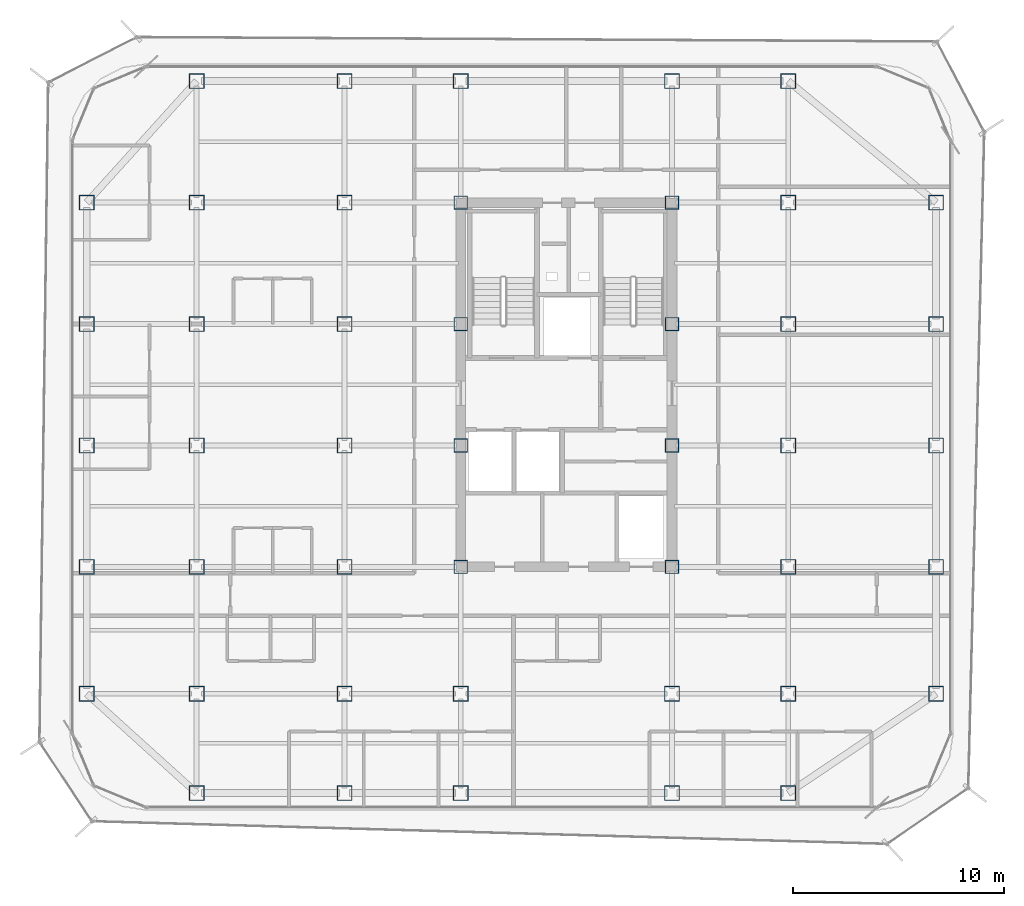
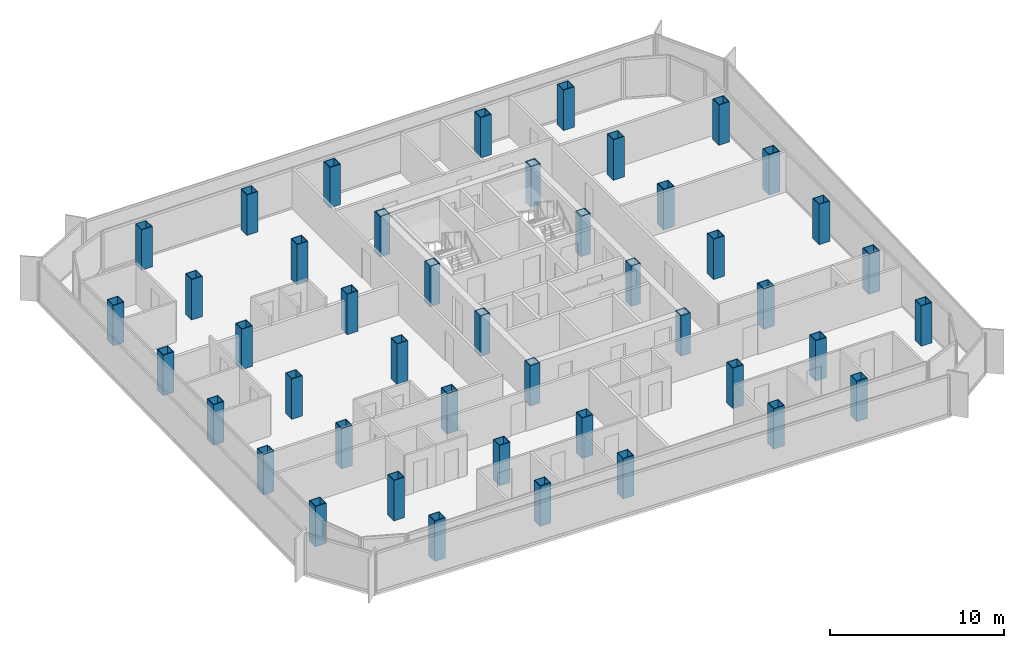
# One storey, part 1 of 15: 45 columns.
"""IFC4 building model written with IfcOpenShell, lengths in metres."""

import ifcopenshell
import ifcopenshell.guid

model = None  # the IFC model being written
_history = None  # IfcOwnerHistory: only IFC2X3 demands one
_inside = {}  # id of a spatial element -> (the spatial element, [elements in it])
_under = {}  # id of a project, library or spatial element -> (it, [spatial elements below it])
_declared = {}  # id of a project -> (the project, [libraries it declares])
_typed = {}  # id of a type object -> (the type object, [elements of that type])
_made_of = {}  # id of a material, layer set ... -> (it, [elements and type objects made of it])


def new_model(schema):
    """Start an empty IFC model of exactly this schema.

    Asked for "IFC4X3", IfcOpenShell would pick the latest addendum, in which some entities
    have other attributes; the version numbers below select the first issue.
    IFC2X3 requires an IfcOwnerHistory on every rooted entity: one is made here for all.
    """
    global model, _history
    if schema == "IFC4X3":
        model = ifcopenshell.file(schema_version=(4, 3, 0, 0))
    else:
        model = ifcopenshell.file(schema=schema)
    _inside.clear()
    _under.clear()
    _declared.clear()
    _typed.clear()
    _made_of.clear()
    _history = None
    if model.schema == "IFC2X3":
        org = make("IfcOrganization", Name="unknown")
        user = make(
            "IfcPersonAndOrganization",
            ThePerson=make("IfcPerson", FamilyName="unknown"),
            TheOrganization=org,
        )
        app = make(
            "IfcApplication",
            ApplicationDeveloper=org,
            Version="unknown",
            ApplicationFullName="unknown",
            ApplicationIdentifier="unknown",
        )
        _history = make(
            "IfcOwnerHistory",
            OwningUser=user,
            OwningApplication=app,
            ChangeAction="ADDED",
            CreationDate=0,
        )
    return model


def make(cls, **values):
    """One entity of the class cls with the attributes given. An attribute that is None is left unset."""
    return model.create_entity(
        cls, **{name: value for name, value in values.items() if value is not None}
    )


def rooted(cls, **values):
    """An entity with a GlobalId (a new one), such as an element, a storey or a relation."""
    return make(cls, GlobalId=ifcopenshell.guid.new(), OwnerHistory=_history, **values)


def si_unit(unit_type, name, prefix=None):
    """IfcSIUnit, for example si_unit("LENGTHUNIT", "METRE", prefix="MILLI")."""
    return make("IfcSIUnit", UnitType=unit_type, Prefix=prefix, Name=name)


def assignment(units):
    """IfcUnitAssignment: the units of a project."""
    return None if units is None else make("IfcUnitAssignment", Units=units)


def point(xyz):
    """IfcCartesianPoint."""
    return None if xyz is None else make("IfcCartesianPoint", Coordinates=xyz)


def direction(xyz):
    """IfcDirection."""
    return None if xyz is None else make("IfcDirection", DirectionRatios=xyz)


def frame(location, z_axis=None, x_axis=None):
    """IfcAxis2Placement3D, a coordinate frame: its origin and axes. An axis left out is left unset."""
    return make(
        "IfcAxis2Placement3D",
        Location=point(location),
        Axis=direction(z_axis),
        RefDirection=direction(x_axis),
    )


def frame_2d(location, x_axis=None):
    """IfcAxis2Placement2D, a coordinate frame in the plane: its origin and x axis."""
    return make(
        "IfcAxis2Placement2D", Location=point(location), RefDirection=direction(x_axis)
    )


def origin():
    """The frame at (0, 0, 0) with its axes left unset."""
    return frame((0.0, 0.0, 0.0))


def origin_2d():
    """The frame at (0, 0) in the plane with its x axis left unset."""
    return frame_2d((0.0, 0.0))


def place(relative_to, where):
    """IfcLocalPlacement: puts the frame where relative to a parent placement (None: the world)."""
    return make(
        "IfcLocalPlacement", PlacementRelTo=relative_to, RelativePlacement=where
    )


def context(
    kind, dimensions, precision=None, world=None, true_north=None, identifier=None
):
    """IfcGeometricRepresentationContext, for example the 3D "Model" context."""
    return make(
        "IfcGeometricRepresentationContext",
        ContextIdentifier=identifier,
        ContextType=kind,
        CoordinateSpaceDimension=dimensions,
        Precision=precision,
        WorldCoordinateSystem=world,
        TrueNorth=true_north,
    )


def subcontext(parent, identifier, kind, view, scale=None):
    """IfcGeometricRepresentationSubContext, for example "Body" below "Model"."""
    return make(
        "IfcGeometricRepresentationSubContext",
        ContextIdentifier=identifier,
        ContextType=kind,
        ParentContext=parent,
        TargetScale=scale,
        TargetView=view,
    )


def project(units=None, contexts=None):
    """IfcProject with its units and contexts."""
    return rooted(
        "IfcProject",
        Name="project",
        RepresentationContexts=contexts,
        UnitsInContext=assignment(units),
    )


def spatial(cls, under=None, at=None, **own):
    """A site, building, storey or space (cls), placed at a placement, below another one or the project."""
    s = rooted(cls, ObjectPlacement=at, **own)
    if under is not None:
        _under.setdefault(under.id(), (under, []))[1].append(s)
    return s


def profile(cls, at=None, kind="AREA", **sizes):
    """A parametric profile (cls). Its sizes go by their IFC names, for example OverallWidth=200.0."""
    return make(cls, ProfileType=kind, Position=at, **sizes)


def hollow_rectangle(**sizes):
    """IfcRectangleHollowProfileDef."""
    return profile("IfcRectangleHollowProfileDef", **sizes)


def extrude(swept, where, along, depth):
    """IfcExtrudedAreaSolid: the profile swept, set in the frame where, extruded along a direction by depth."""
    return make(
        "IfcExtrudedAreaSolid",
        SweptArea=swept,
        Position=where,
        ExtrudedDirection=direction(along),
        Depth=depth,
    )


def shape(context_of_items, identifier, shape_type, items):
    """IfcShapeRepresentation: the items that make up one representation, for example the "Body"."""
    return make(
        "IfcShapeRepresentation",
        ContextOfItems=context_of_items,
        RepresentationIdentifier=identifier,
        RepresentationType=shape_type,
        Items=items,
    )


def source(mapping_origin, context_of_items, identifier, shape_type, items):
    """IfcRepresentationMap: a shape defined once, which mapped items show again and again."""
    return make(
        "IfcRepresentationMap",
        MappingOrigin=mapping_origin,
        MappedRepresentation=shape(context_of_items, identifier, shape_type, items),
    )


def transform(
    local_origin,
    x_axis=None,
    y_axis=None,
    z_axis=None,
    scale=None,
    scale2=None,
    scale3=None,
    uniform=True,
):
    """IfcCartesianTransformationOperator3D, or its non-uniform kind. x_axis, y_axis, z_axis: its Axis1, 2, 3."""
    if uniform:
        return make(
            "IfcCartesianTransformationOperator3D",
            Axis1=direction(x_axis),
            Axis2=direction(y_axis),
            LocalOrigin=point(local_origin),
            Scale=scale,
            Axis3=direction(z_axis),
        )
    return make(
        "IfcCartesianTransformationOperator3DnonUniform",
        Axis1=direction(x_axis),
        Axis2=direction(y_axis),
        LocalOrigin=point(local_origin),
        Scale=scale,
        Axis3=direction(z_axis),
        Scale2=scale2,
        Scale3=scale3,
    )


def mapped(mapping_source, mapping_target):
    """IfcMappedItem: shows the shape of a source again, moved by a transform."""
    return make(
        "IfcMappedItem", MappingSource=mapping_source, MappingTarget=mapping_target
    )


def material(Name=None, Category=None):
    """IfcMaterial."""
    return make("IfcMaterial", Name=Name, Category=Category)


def material_profile(
    of_material, cross_section, Name=None, Category=None, Priority=None
):
    """IfcMaterialProfile: a cross section and its material."""
    return make(
        "IfcMaterialProfile",
        Name=Name,
        Material=of_material,
        Profile=cross_section,
        Priority=Priority,
        Category=Category,
    )


def profile_set(profiles, Name=None, composite=None):
    """IfcMaterialProfileSet."""
    return make(
        "IfcMaterialProfileSet",
        Name=Name,
        MaterialProfiles=profiles,
        CompositeProfile=composite,
    )


def made_of(thing, what):
    """Note that an element or type object is made of a material, layer set ...; save() writes the relation."""
    if what is not None:
        _made_of.setdefault(what.id(), (what, []))[1].append(thing)
    return thing


def type_object(cls, material=None, **own):
    """A type object (cls), such as IfcWallType, which elements share."""
    return made_of(rooted(cls, **own), material)


def element(
    cls,
    number,
    at=None,
    inside=None,
    cuts=None,
    type_object=None,
    material=None,
    context=None,
    identifier="Body",
    shape_type=None,
    held_by="IfcProductDefinitionShape",
    body=None,
    shapes=None,
    **own,
):
    """One element of the class cls, such as IfcWall. Its Tag is "e" and its number.

    at: its placement. inside: the storey or other place that contains it. cuts: it is an
    opening in that element (IfcRelVoidsElement). A single representation is given by context,
    identifier, shape_type and body (its items); several are given by shapes. held_by: the class
    of the entity that holds the representations. save() writes the other relations.
    """
    e = rooted(cls, Tag="e%d" % number, ObjectPlacement=at, **own)
    if body is not None:
        shapes = [shape(context, identifier, shape_type, body)]
    if shapes is not None:
        e.Representation = make(held_by, Representations=shapes)
    if inside is not None:
        _inside.setdefault(inside.id(), (inside, []))[1].append(e)
    if cuts is not None:
        rooted(
            "IfcRelVoidsElement", RelatingBuildingElement=cuts, RelatedOpeningElement=e
        )
    if type_object is not None:
        _typed.setdefault(type_object.id(), (type_object, []))[1].append(e)
    return made_of(e, material)


def aggregate(whole, parts):
    """IfcRelAggregates: a whole, such as a stair, and the parts it consists of."""
    return rooted("IfcRelAggregates", RelatingObject=whole, RelatedObjects=parts)


def save(model, path):
    """Write the relations noted so far, then the file.

    IfcRelAggregates (storeys below a building ...), IfcRelContainedInSpatialStructure (elements
    in a storey), IfcRelDefinesByType, IfcRelAssociatesMaterial and IfcRelDeclares: one each for
    every whole, place, type object, material and project.
    """
    for whole, parts in _under.values():
        aggregate(whole, parts)
    for where, things in _inside.values():
        rooted(
            "IfcRelContainedInSpatialStructure",
            RelatedElements=things,
            RelatingStructure=where,
        )
    for kind, things in _typed.values():
        rooted("IfcRelDefinesByType", RelatedObjects=things, RelatingType=kind)
    for what, things in _made_of.values():
        rooted("IfcRelAssociatesMaterial", RelatedObjects=things, RelatingMaterial=what)
    for by, libraries in _declared.values():
        rooted("IfcRelDeclares", RelatingContext=by, RelatedDefinitions=libraries)
    model.write(path)


model = new_model("IFC4")

# Units and contexts
model_context = context("Model", 3, precision=1e-05, world=origin(), true_north=direction((0.0, 1.0)))
body_context = subcontext(model_context, "Body", "Model", "MODEL_VIEW")
ifc_project = project(units=[si_unit("LENGTHUNIT", "METRE"), si_unit("AREAUNIT", "SQUARE_METRE"), si_unit("VOLUMEUNIT", "CUBIC_METRE"), si_unit("PLANEANGLEUNIT", "RADIAN"), si_unit("MASSUNIT", "GRAM", prefix="KILO")], contexts=[model_context])

# Site, building, storey
site_placement = place(None, origin())
site = spatial("IfcSite", under=ifc_project, at=site_placement, CompositionType="ELEMENT")
building_placement = place(site_placement, origin())
building = spatial("IfcBuilding", under=site, at=building_placement, Name="Kolveth Station Tower", CompositionType="ELEMENT")
storey_placement = place(building_placement, frame((0.0, 0.0, 184.89990234375)))
storey = spatial("IfcBuildingStorey", under=building, at=storey_placement, Name="L52", CompositionType="ELEMENT", Elevation=184.89990234375)

# Columns
ifc_material = material(Name="Steel S355", Category="steel")
ifc_material_profile_1 = material_profile(ifc_material, hollow_rectangle(XDim=0.719970703125, YDim=0.719970703125, WallThickness=0.0400390625, at=origin_2d()), Name="BOX720x720x40")
ifc_profile_set_1 = profile_set([ifc_material_profile_1], Name="Steel S355")
column_type_1 = type_object("IfcColumnType", Name="Col_C6", PredefinedType="COLUMN", material=ifc_profile_set_1)
shared_shape_1 = source(origin(), body_context, "Body", "SweptSolid", [
    extrude(hollow_rectangle(XDim=0.719970703125, YDim=0.719970703125, WallThickness=0.0400390625, at=origin_2d()), origin(), (0.0, 0.0, 1.0), 2.840087890625),
])
for number, where, z_axis, x_axis, name in (
    (1, (6.0, 0.800048828125, 0.0), (0.0, 0.0, 1.0), (1.0, 0.0, 0.0), "L52 Tower Column S-X60"),
    (2, (6.0, 34.5, 0.0), (0.0, 0.0, 1.0), (1.0, 0.0, 0.0), "L52 Tower Column N-X60"),
    (3, (13.0, 0.800048828125, 0.0), (0.0, 0.0, 1.0), (1.0, 0.0, 0.0), "L52 Tower Column S-X130"),
    (4, (13.0, 34.5, 0.0), (0.0, 0.0, 1.0), (1.0, 0.0, 0.0), "L52 Tower Column N-X130"),
    (5, (18.5, 0.800048828125, 0.0), (0.0, 0.0, 1.0), (1.0, 0.0, 0.0), "L52 Tower Column S-X185"),
    (6, (18.5, 34.5, 0.0), (0.0, 0.0, 1.0), (1.0, 0.0, 0.0), "L52 Tower Column N-X185"),
    (7, (28.5, 0.800048828125, 0.0), (0.0, 0.0, 1.0), (1.0, 0.0, 0.0), "L52 Tower Column S-X285"),
    (8, (28.5, 34.5, 0.0), (0.0, 0.0, 1.0), (1.0, 0.0, 0.0), "L52 Tower Column N-X285"),
    (9, (34.0, 0.800048828125, 0.0), (0.0, 0.0, 1.0), (1.0, 0.0, 0.0), "L52 Tower Column S-X340"),
    (10, (34.0, 34.5, 0.0), (0.0, 0.0, 1.0), (1.0, 0.0, 0.0), "L52 Tower Column N-X340"),
    (11, (0.800048828125, 5.5, 0.0), (0.0, 0.0, 1.0), (1.0, 0.0, 0.0), "L52 Tower Column W-Y55"),
    (12, (41.0, 5.5, 0.0), (0.0, 0.0, 1.0), (1.0, 0.0, 0.0), "L52 Tower Column E-Y55"),
    (13, (0.800048828125, 11.5, 0.0), (0.0, 0.0, 1.0), (1.0, 0.0, 0.0), "L52 Tower Column W-Y115"),
    (14, (41.0, 11.5, 0.0), (0.0, 0.0, 1.0), (1.0, 0.0, 0.0), "L52 Tower Column E-Y115"),
    (15, (0.800048828125, 17.25, 0.0), (0.0, 0.0, 1.0), (1.0, 0.0, 0.0), "L52 Tower Column W-Y172"),
    (16, (41.0, 17.25, 0.0), (0.0, 0.0, 1.0), (1.0, 0.0, 0.0), "L52 Tower Column E-Y172"),
    (17, (0.800048828125, 23.0, 0.0), (0.0, 0.0, 1.0), (1.0, 0.0, 0.0), "L52 Tower Column W-Y230"),
    (18, (41.0, 23.0, 0.0), (0.0, 0.0, 1.0), (1.0, 0.0, 0.0), "L52 Tower Column E-Y230"),
    (19, (0.800048828125, 28.75, 0.0), (0.0, 0.0, 1.0), (1.0, 0.0, 0.0), "L52 Tower Column W-Y287"),
    (20, (41.0, 28.75, 0.0), (0.0, 0.0, 1.0), (1.0, 0.0, 0.0), "L52 Tower Column E-Y287"),
    (21, (6.0, 5.5, 0.0), (0.0, 0.0, 1.0), (1.0, 0.0, 0.0), "L52 Tower Column G-60-55"),
    (22, (6.0, 11.5, 0.0), (0.0, 0.0, 1.0), (1.0, 0.0, 0.0), "L52 Tower Column G-60-115"),
    (23, (6.0, 17.25, 0.0), (0.0, 0.0, 1.0), (1.0, 0.0, 0.0), "L52 Tower Column G-60-172"),
    (24, (6.0, 23.0, 0.0), (0.0, 0.0, 1.0), (1.0, 0.0, 0.0), "L52 Tower Column G-60-230"),
    (25, (6.0, 28.75, 0.0), (0.0, 0.0, 1.0), (1.0, 0.0, 0.0), "L52 Tower Column G-60-287"),
    (26, (13.0, 5.5, 0.0), (0.0, 0.0, 1.0), (1.0, 0.0, 0.0), "L52 Tower Column G-130-55"),
    (27, (13.0, 11.5, 0.0), (0.0, 0.0, 1.0), (1.0, 0.0, 0.0), "L52 Tower Column G-130-115"),
    (28, (13.0, 17.25, 0.0), (0.0, 0.0, 1.0), (1.0, 0.0, 0.0), "L52 Tower Column G-130-172"),
    (29, (13.0, 23.0, 0.0), (0.0, 0.0, 1.0), (1.0, 0.0, 0.0), "L52 Tower Column G-130-230"),
    (30, (13.0, 28.75, 0.0), (0.0, 0.0, 1.0), (1.0, 0.0, 0.0), "L52 Tower Column G-130-287"),
    (31, (18.5, 5.5, 0.0), (0.0, 0.0, 1.0), (1.0, 0.0, 0.0), "L52 Tower Column G-185-55"),
    (32, (28.5, 5.5, 0.0), (0.0, 0.0, 1.0), (1.0, 0.0, 0.0), "L52 Tower Column G-285-55"),
    (33, (34.0, 5.5, 0.0), (0.0, 0.0, 1.0), (1.0, 0.0, 0.0), "L52 Tower Column G-340-55"),
    (34, (34.0, 11.5, 0.0), (0.0, 0.0, 1.0), (1.0, 0.0, 0.0), "L52 Tower Column G-340-115"),
    (35, (34.0, 17.25, 0.0), (0.0, 0.0, 1.0), (1.0, 0.0, 0.0), "L52 Tower Column G-340-172"),
    (36, (34.0, 23.0, 0.0), (0.0, 0.0, 1.0), (1.0, 0.0, 0.0), "L52 Tower Column G-340-230"),
    (37, (34.0, 28.75, 0.0), (0.0, 0.0, 1.0), (1.0, 0.0, 0.0), "L52 Tower Column G-340-287"),
):
    element("IfcColumn", number, at=place(storey_placement, frame(where, z_axis=z_axis, x_axis=x_axis)), inside=storey, type_object=column_type_1, Name=name, PredefinedType="COLUMN", context=body_context, shape_type="MappedRepresentation", body=[
        mapped(shared_shape_1, transform((0.0, 0.0, 0.0), x_axis=(1.0, 0.0, 0.0), y_axis=(0.0, 1.0, 0.0), z_axis=(0.0, 0.0, 1.0), scale=1.0)),
    ])
ifc_material_profile_2 = material_profile(ifc_material, hollow_rectangle(XDim=0.639892578125, YDim=0.639892578125, WallThickness=0.034912109375, at=origin_2d()), Name="BOX640x640x35")
ifc_profile_set_2 = profile_set([ifc_material_profile_2], Name="Steel S355")
column_type_2 = type_object("IfcColumnType", Name="Col_C7", PredefinedType="COLUMN", material=ifc_profile_set_2)
shared_shape_2 = source(origin(), body_context, "Body", "SweptSolid", [
    extrude(hollow_rectangle(XDim=0.639892578125, YDim=0.639892578125, WallThickness=0.034912109375, at=origin_2d()), origin(), (0.0, 0.0, 1.0), 2.840087890625),
])
for number, where, z_axis, x_axis, name in (
    (38, (18.5, 11.5, 0.0), (0.0, 0.0, 1.0), (1.0, 0.0, 0.0), "L52 Tower Column G-185-115"),
    (39, (18.5, 17.25, 0.0), (0.0, 0.0, 1.0), (1.0, 0.0, 0.0), "L52 Tower Column G-185-172"),
    (40, (18.5, 23.0, 0.0), (0.0, 0.0, 1.0), (1.0, 0.0, 0.0), "L52 Tower Column G-185-230"),
    (41, (18.5, 28.75, 0.0), (0.0, 0.0, 1.0), (1.0, 0.0, 0.0), "L52 Tower Column G-185-287"),
    (42, (28.5, 11.5, 0.0), (0.0, 0.0, 1.0), (1.0, 0.0, 0.0), "L52 Tower Column G-285-115"),
    (43, (28.5, 17.25, 0.0), (0.0, 0.0, 1.0), (1.0, 0.0, 0.0), "L52 Tower Column G-285-172"),
    (44, (28.5, 23.0, 0.0), (0.0, 0.0, 1.0), (1.0, 0.0, 0.0), "L52 Tower Column G-285-230"),
    (45, (28.5, 28.75, 0.0), (0.0, 0.0, 1.0), (1.0, 0.0, 0.0), "L52 Tower Column G-285-287"),
):
    element("IfcColumn", number, at=place(storey_placement, frame(where, z_axis=z_axis, x_axis=x_axis)), inside=storey, type_object=column_type_2, Name=name, PredefinedType="COLUMN", context=body_context, shape_type="MappedRepresentation", body=[
        mapped(shared_shape_2, transform((0.0, 0.0, 0.0), x_axis=(1.0, 0.0, 0.0), y_axis=(0.0, 1.0, 0.0), z_axis=(0.0, 0.0, 1.0), scale=1.0)),
    ])

save(model, "model.ifc")
